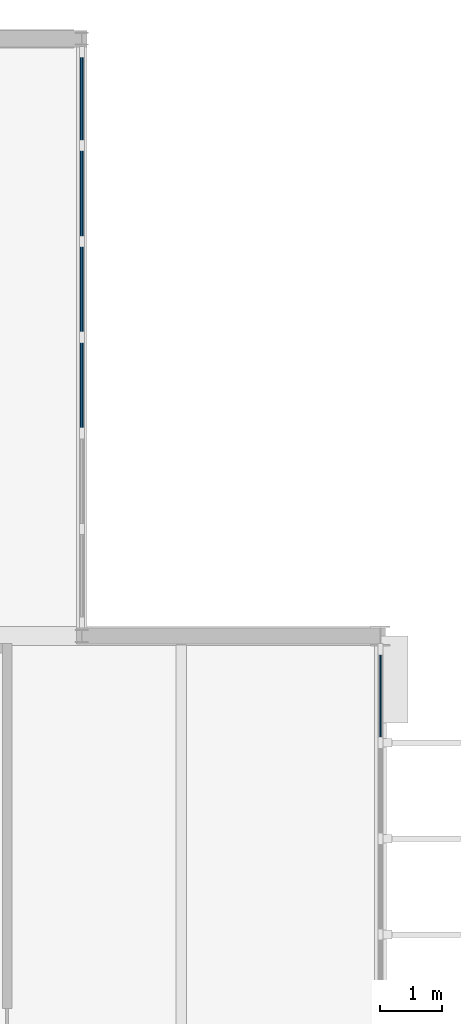
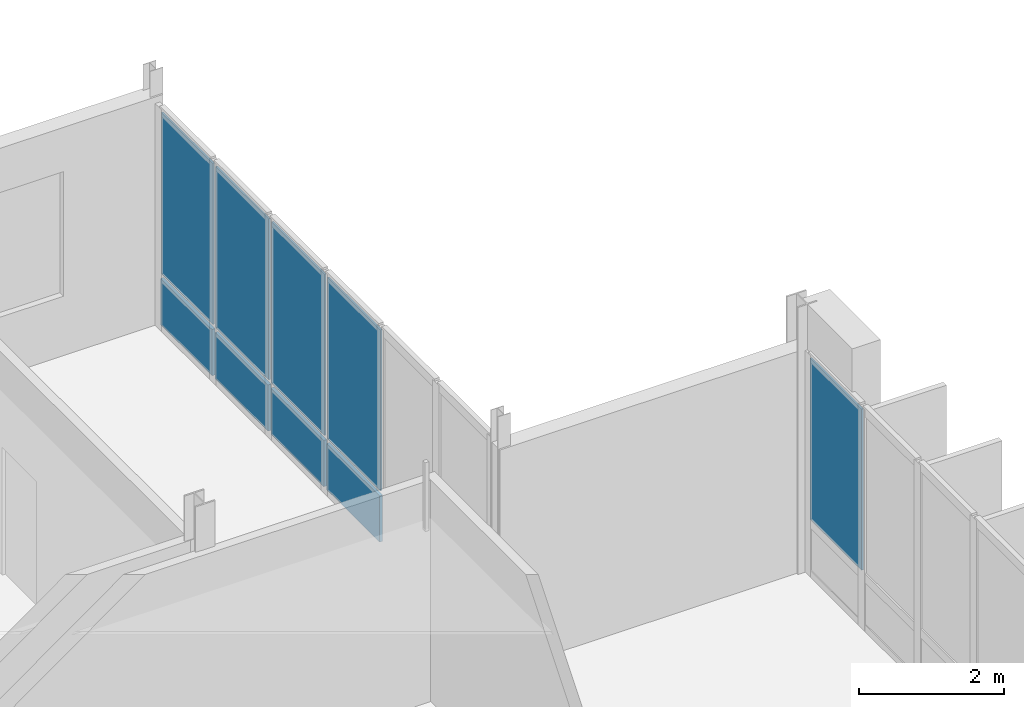
# One storey, part 56 of 110: 9 plates, 2 elements without a shape of their own.
"""IFC4 building model written with IfcOpenShell, lengths in metres."""

from ifc_helpers import new_model, si_unit, direction, frame, origin, origin_2d, place, context, subcontext, project, spatial, rectangle, extrude, material, layer, layer_set, type_object, element, aggregate, save


model = new_model("IFC4")

# Units and contexts
model_context = context("Model", 3, precision=1e-05, world=origin(), true_north=direction((0.0, 1.0)))
body_context = subcontext(model_context, "Body", "Model", "MODEL_VIEW")
ifc_project = project(units=[si_unit("LENGTHUNIT", "METRE"), si_unit("AREAUNIT", "SQUARE_METRE"), si_unit("VOLUMEUNIT", "CUBIC_METRE"), si_unit("PLANEANGLEUNIT", "RADIAN"), si_unit("MASSUNIT", "GRAM", prefix="KILO")], contexts=[model_context])

# Site, building, storey
site_placement = place(None, origin())
site = spatial("IfcSite", under=ifc_project, at=site_placement, CompositionType="ELEMENT")
building_placement = place(site_placement, origin())
building = spatial("IfcBuilding", under=site, at=building_placement, Name="Dunescarp Central Library", CompositionType="ELEMENT")
storey_placement = place(building_placement, frame((0.0, 0.0, 9.60009765625)))
storey = spatial("IfcBuildingStorey", under=building, at=storey_placement, Name="L02", CompositionType="ELEMENT", Elevation=9.60009765625)

# Curtain wall, plate
ifc_material_1 = material(Name="Marine-grade anodised aluminium 6063-T6", Category="aluminium")
curtain_wall_type = type_object("IfcCurtainWallType", Name="ARC-CW-STICK", PredefinedType="NOTDEFINED", material=ifc_material_1)
curtain_wall_1_placement = place(storey_placement, origin())
curtain_wall_1 = element("IfcCurtainWall", 1, at=curtain_wall_1_placement, inside=storey, type_object=curtain_wall_type, Name="L02 curtain wall CW-V4-129", PredefinedType="NOTDEFINED")
ifc_material_2 = material(Name="Solar-control laminated double glazing", Category="glass")
ifc_layer_1 = layer(ifc_material_2, 0.028076171875)
ifc_layer_set_1 = layer_set([ifc_layer_1], Name="Solar-control laminated double glazing")
plate_type_1 = type_object("IfcPlateType", Name="ARC-PLT-GLZ28", PredefinedType="CURTAIN_PANEL", material=ifc_layer_set_1)
plate_1_placement = place(storey_placement, frame((28.800048828125, 88.63427734375, 0.93994140625), z_axis=(0.0, 0.0, 1.0), x_axis=(0.0, -1.0, 0.0)))
plate_1 = element("IfcPlate", 2, at=plate_1_placement, type_object=plate_type_1, Name="CW-V4-129 panel 1.2", PredefinedType="CURTAIN_PANEL", context=body_context, shape_type="SweptSolid", body=[
    extrude(rectangle(XDim=1.421630859375, YDim=0.028076171875, at=origin_2d()), origin(), (0.0, 0.0, 1.0), 2.715087890625),
])
aggregate(curtain_wall_1, [plate_1])

# Curtain wall, plates
curtain_wall_2_placement = place(storey_placement, origin())
curtain_wall_2 = element("IfcCurtainWall", 3, at=curtain_wall_2_placement, inside=storey, type_object=curtain_wall_type, Name="L02 curtain wall CW-V4N-145", PredefinedType="NOTDEFINED")
plate_2_placement = place(storey_placement, frame((24.0, 98.234130859375, 0.93994140625), z_axis=(0.0, 0.0, 1.0), x_axis=(0.0, -1.0, 0.0)))
plate_2 = element("IfcPlate", 4, at=plate_2_placement, type_object=plate_type_1, Name="CW-V4N-145 panel 1.2", PredefinedType="CURTAIN_PANEL", context=body_context, shape_type="SweptSolid", body=[
    extrude(rectangle(XDim=1.421630859375, YDim=0.028076171875, at=origin_2d()), origin(), (0.0, 0.0, 1.0), 2.715087890625),
])
plate_3_placement = place(storey_placement, frame((24.0, 96.71240234375, 0.93994140625), z_axis=(0.0, 0.0, 1.0), x_axis=(0.0, -1.0, 0.0)))
plate_3 = element("IfcPlate", 5, at=plate_3_placement, type_object=plate_type_1, Name="CW-V4N-145 panel 2.2", PredefinedType="CURTAIN_PANEL", context=body_context, shape_type="SweptSolid", body=[
    extrude(rectangle(XDim=1.461669921875, YDim=0.028076171875, at=origin_2d()), origin(), (0.0, 0.0, 1.0), 2.715087890625),
])
plate_4_placement = place(storey_placement, frame((24.0, 95.1708984375, 0.93994140625), z_axis=(0.0, 0.0, 1.0), x_axis=(0.0, -1.0, 0.0)))
plate_4 = element("IfcPlate", 6, at=plate_4_placement, type_object=plate_type_1, Name="CW-V4N-145 panel 3.2", PredefinedType="CURTAIN_PANEL", context=body_context, shape_type="SweptSolid", body=[
    extrude(rectangle(XDim=1.461669921875, YDim=0.028076171875, at=origin_2d()), origin(), (0.0, 0.0, 1.0), 2.715087890625),
])
plate_5_placement = place(storey_placement, frame((24.0, 93.629150390625, 0.93994140625), z_axis=(0.0, 0.0, 1.0), x_axis=(0.0, -1.0, 0.0)))
plate_5 = element("IfcPlate", 7, at=plate_5_placement, type_object=plate_type_1, Name="CW-V4N-145 panel 4.2", PredefinedType="CURTAIN_PANEL", context=body_context, shape_type="SweptSolid", body=[
    extrude(rectangle(XDim=1.461669921875, YDim=0.028076171875, at=origin_2d()), origin(), (0.0, 0.0, 1.0), 2.715087890625),
])
ifc_layer_2 = layer(ifc_material_1, 0.050048828125)
ifc_layer_set_2 = layer_set([ifc_layer_2], Name="Marine-grade anodised aluminium 6063-T6")
plate_type_2 = type_object("IfcPlateType", Name="ARC-PLT-SPN50", PredefinedType="SHEET", material=ifc_layer_set_2)
plate_6_placement = place(storey_placement, frame((24.0, 98.234130859375, 0.080078125), z_axis=(0.0, 0.0, 1.0), x_axis=(0.0, -1.0, 0.0)))
plate_6 = element("IfcPlate", 8, at=plate_6_placement, type_object=plate_type_2, Name="CW-V4N-145 panel 1.1", PredefinedType="SHEET", context=body_context, shape_type="SweptSolid", body=[
    extrude(rectangle(XDim=1.421630859375, YDim=0.050048828125, at=origin_2d()), origin(), (0.0, 0.0, 1.0), 0.780029296875),
])
plate_7_placement = place(storey_placement, frame((24.0, 96.71240234375, 0.080078125), z_axis=(0.0, 0.0, 1.0), x_axis=(0.0, -1.0, 0.0)))
plate_7 = element("IfcPlate", 9, at=plate_7_placement, type_object=plate_type_2, Name="CW-V4N-145 panel 2.1", PredefinedType="SHEET", context=body_context, shape_type="SweptSolid", body=[
    extrude(rectangle(XDim=1.461669921875, YDim=0.050048828125, at=origin_2d()), origin(), (0.0, 0.0, 1.0), 0.780029296875),
])
plate_8_placement = place(storey_placement, frame((24.0, 95.1708984375, 0.080078125), z_axis=(0.0, 0.0, 1.0), x_axis=(0.0, -1.0, 0.0)))
plate_8 = element("IfcPlate", 10, at=plate_8_placement, type_object=plate_type_2, Name="CW-V4N-145 panel 3.1", PredefinedType="SHEET", context=body_context, shape_type="SweptSolid", body=[
    extrude(rectangle(XDim=1.461669921875, YDim=0.050048828125, at=origin_2d()), origin(), (0.0, 0.0, 1.0), 0.780029296875),
])
plate_9_placement = place(storey_placement, frame((24.0, 93.629150390625, 0.080078125), z_axis=(0.0, 0.0, 1.0), x_axis=(0.0, -1.0, 0.0)))
plate_9 = element("IfcPlate", 11, at=plate_9_placement, type_object=plate_type_2, Name="CW-V4N-145 panel 4.1", PredefinedType="SHEET", context=body_context, shape_type="SweptSolid", body=[
    extrude(rectangle(XDim=1.461669921875, YDim=0.050048828125, at=origin_2d()), origin(), (0.0, 0.0, 1.0), 0.780029296875),
])
aggregate(curtain_wall_2, [plate_6, plate_2, plate_7, plate_3, plate_8, plate_4, plate_9, plate_5])

save(model, "model.ifc")
